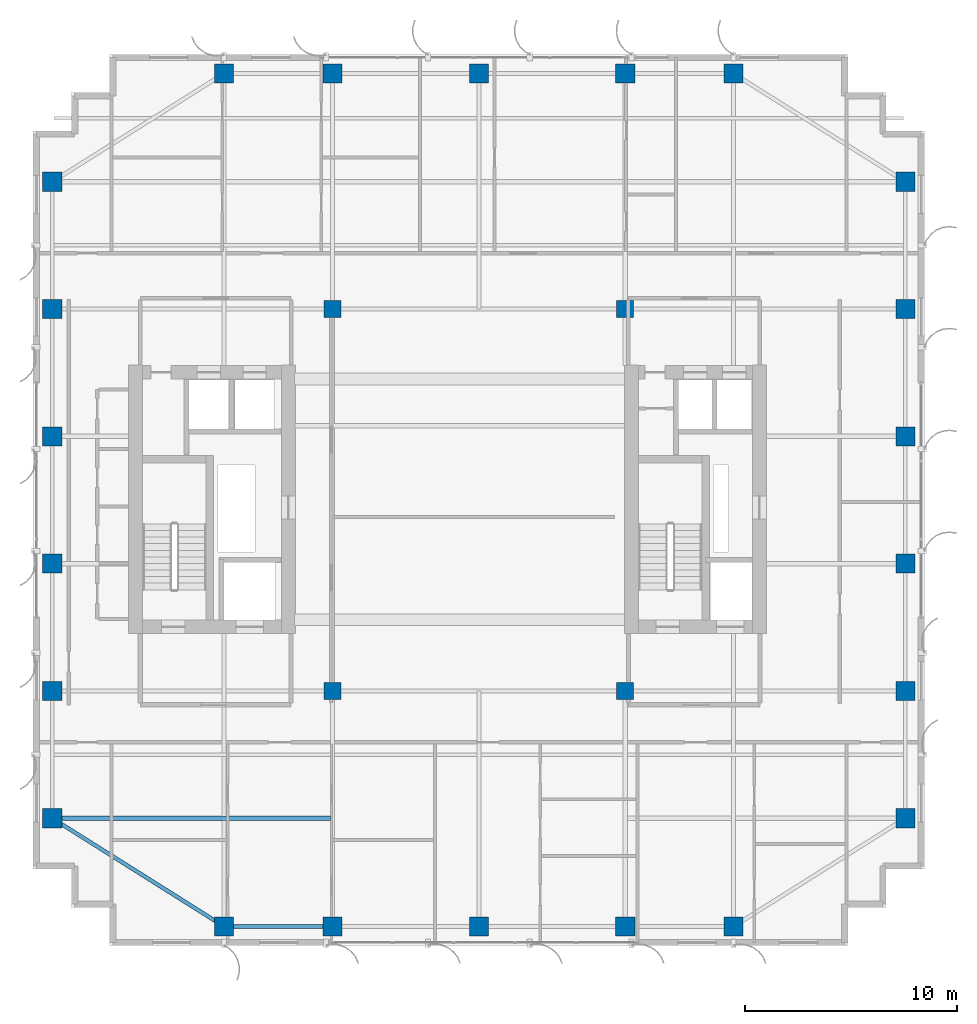
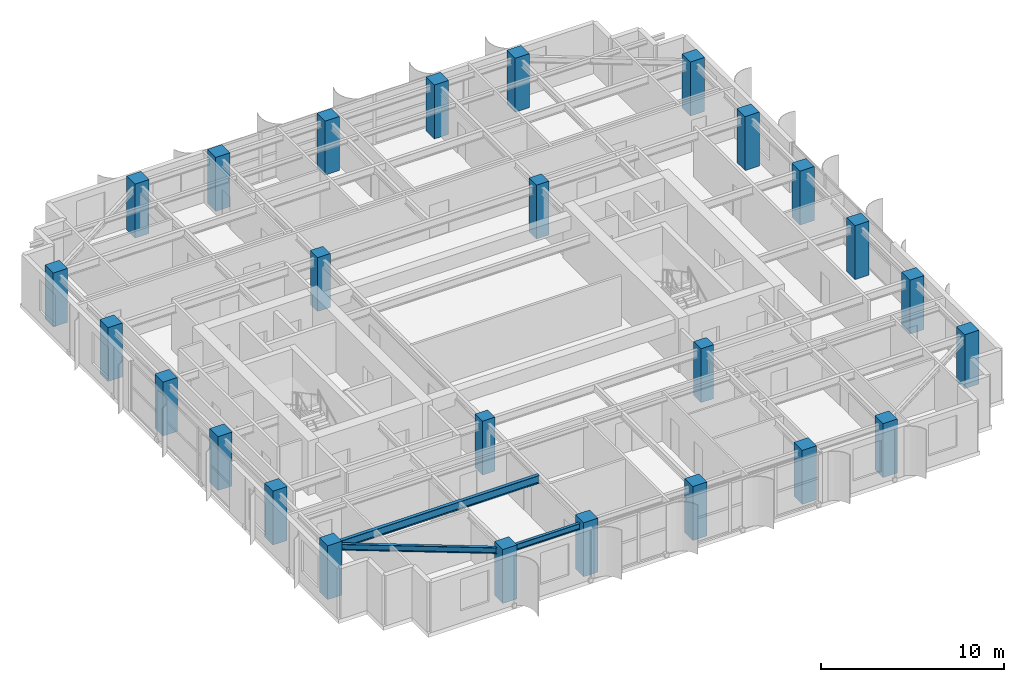
# One storey, part 1 of 25: 26 columns, 3 beams.
"""IFC4 building model written with IfcOpenShell, lengths in metres."""

from ifc_helpers import new_model, si_unit, direction, frame, origin, origin_2d, place, context, subcontext, project, spatial, rectangle, i_section, extrude, source, transform, mapped, material, material_profile, profile_set, type_object, element, save


model = new_model("IFC4")

# Units and contexts
model_context = context("Model", 3, precision=1e-05, world=origin(), true_north=direction((0.0, 1.0)))
body_context = subcontext(model_context, "Body", "Model", "MODEL_VIEW")
ifc_project = project(units=[si_unit("LENGTHUNIT", "METRE"), si_unit("AREAUNIT", "SQUARE_METRE"), si_unit("VOLUMEUNIT", "CUBIC_METRE"), si_unit("PLANEANGLEUNIT", "RADIAN"), si_unit("MASSUNIT", "GRAM", prefix="KILO")], contexts=[model_context])

# Site, building, storey
site_placement = place(None, origin())
site = spatial("IfcSite", under=ifc_project, at=site_placement, CompositionType="ELEMENT")
building_placement = place(site_placement, origin())
building = spatial("IfcBuilding", under=site, at=building_placement, Name="Khoralis Quay Care Tower", CompositionType="ELEMENT")
storey_placement = place(building_placement, frame((0.0, 0.0, 166.5)))
storey = spatial("IfcBuildingStorey", under=building, at=storey_placement, Name="L43", CompositionType="ELEMENT", Elevation=166.5)

# Columns
ifc_material_1 = material(Name="Concrete C65/80", Category="concrete")
ifc_material_profile_1 = material_profile(ifc_material_1, rectangle(XDim=0.89990234375, YDim=0.89990234375, at=origin_2d()), Name="Concrete C65/80")
ifc_profile_set_1 = profile_set([ifc_material_profile_1], Name="Concrete C65/80")
column_type_1 = type_object("IfcColumnType", Name="COL-C900", PredefinedType="COLUMN", material=ifc_profile_set_1)
shared_shape_1 = source(origin(), body_context, "Body", "SweptSolid", [
    extrude(rectangle(XDim=0.89990234375, YDim=0.89990234375, at=origin_2d()), origin(), (0.0, 0.0, 1.0), 3.60009765625),
])
for number, where, z_axis, x_axis, name in (
    (1, (12.0, 0.89990234375, 0.0), (0.0, 0.0, 1.0), (1.0, 0.0, 0.0), "COL-TWR-L43-01"),
    (2, (12.0, 41.10009765625, 0.0), (0.0, 0.0, 1.0), (1.0, 0.0, 0.0), "COL-TWR-L43-02"),
    (3, (17.10009765625, 0.89990234375, 0.0), (0.0, 0.0, 1.0), (1.0, 0.0, 0.0), "COL-TWR-L43-03"),
    (4, (17.10009765625, 41.10009765625, 0.0), (0.0, 0.0, 1.0), (1.0, 0.0, 0.0), "COL-TWR-L43-04"),
    (5, (24.0, 0.89990234375, 0.0), (0.0, 0.0, 1.0), (1.0, 0.0, 0.0), "COL-TWR-L43-05"),
    (6, (24.0, 41.10009765625, 0.0), (0.0, 0.0, 1.0), (1.0, 0.0, 0.0), "COL-TWR-L43-06"),
    (7, (30.89990234375, 0.89990234375, 0.0), (0.0, 0.0, 1.0), (1.0, 0.0, 0.0), "COL-TWR-L43-07"),
    (8, (30.89990234375, 41.10009765625, 0.0), (0.0, 0.0, 1.0), (1.0, 0.0, 0.0), "COL-TWR-L43-08"),
    (9, (36.0, 0.89990234375, 0.0), (0.0, 0.0, 1.0), (1.0, 0.0, 0.0), "COL-TWR-L43-09"),
    (10, (36.0, 41.10009765625, 0.0), (0.0, 0.0, 1.0), (1.0, 0.0, 0.0), "COL-TWR-L43-10"),
    (11, (3.89990234375, 6.0, 0.0), (0.0, 0.0, 1.0), (1.0, 0.0, 0.0), "COL-TWR-L43-11"),
    (12, (44.10009765625, 6.0, 0.0), (0.0, 0.0, 1.0), (1.0, 0.0, 0.0), "COL-TWR-L43-12"),
    (13, (3.89990234375, 12.0, 0.0), (0.0, 0.0, 1.0), (1.0, 0.0, 0.0), "COL-TWR-L43-13"),
    (14, (44.10009765625, 12.0, 0.0), (0.0, 0.0, 1.0), (1.0, 0.0, 0.0), "COL-TWR-L43-14"),
    (15, (3.89990234375, 18.0, 0.0), (0.0, 0.0, 1.0), (1.0, 0.0, 0.0), "COL-TWR-L43-15"),
    (16, (44.10009765625, 18.0, 0.0), (0.0, 0.0, 1.0), (1.0, 0.0, 0.0), "COL-TWR-L43-16"),
    (17, (3.89990234375, 24.0, 0.0), (0.0, 0.0, 1.0), (1.0, 0.0, 0.0), "COL-TWR-L43-17"),
    (18, (44.10009765625, 24.0, 0.0), (0.0, 0.0, 1.0), (1.0, 0.0, 0.0), "COL-TWR-L43-18"),
    (19, (3.89990234375, 30.0, 0.0), (0.0, 0.0, 1.0), (1.0, 0.0, 0.0), "COL-TWR-L43-19"),
    (20, (44.10009765625, 30.0, 0.0), (0.0, 0.0, 1.0), (1.0, 0.0, 0.0), "COL-TWR-L43-20"),
    (21, (3.89990234375, 36.0, 0.0), (0.0, 0.0, 1.0), (1.0, 0.0, 0.0), "COL-TWR-L43-21"),
    (22, (44.10009765625, 36.0, 0.0), (0.0, 0.0, 1.0), (1.0, 0.0, 0.0), "COL-TWR-L43-22"),
):
    element("IfcColumn", number, at=place(storey_placement, frame(where, z_axis=z_axis, x_axis=x_axis)), inside=storey, type_object=column_type_1, Name=name, PredefinedType="COLUMN", context=body_context, shape_type="MappedRepresentation", body=[
        mapped(shared_shape_1, transform((0.0, 0.0, 0.0), scale=1.0)),
    ])
ifc_material_2 = material(Name="Concrete C50/60", Category="concrete")
ifc_material_profile_2 = material_profile(ifc_material_2, rectangle(XDim=0.800048828125, YDim=0.800048828125, at=origin_2d()), Name="Concrete C50/60")
ifc_profile_set_2 = profile_set([ifc_material_profile_2], Name="Concrete C50/60")
column_type_2 = type_object("IfcColumnType", Name="COL-C800", PredefinedType="COLUMN", material=ifc_profile_set_2)
shared_shape_2 = source(origin(), body_context, "Body", "SweptSolid", [
    extrude(rectangle(XDim=0.800048828125, YDim=0.800048828125, at=origin_2d()), origin(), (0.0, 0.0, 1.0), 3.60009765625),
])
for number, where, z_axis, x_axis, name in (
    (23, (17.10009765625, 12.0, 0.0), (0.0, 0.0, 1.0), (1.0, 0.0, 0.0), "COL-TWR-L43-23"),
    (24, (17.10009765625, 30.0, 0.0), (0.0, 0.0, 1.0), (1.0, 0.0, 0.0), "COL-TWR-L43-24"),
    (25, (30.89990234375, 12.0, 0.0), (0.0, 0.0, 1.0), (1.0, 0.0, 0.0), "COL-TWR-L43-25"),
    (26, (30.89990234375, 30.0, 0.0), (0.0, 0.0, 1.0), (1.0, 0.0, 0.0), "COL-TWR-L43-26"),
):
    element("IfcColumn", number, at=place(storey_placement, frame(where, z_axis=z_axis, x_axis=x_axis)), inside=storey, type_object=column_type_2, Name=name, PredefinedType="COLUMN", context=body_context, shape_type="MappedRepresentation", body=[
        mapped(shared_shape_2, transform((0.0, 0.0, 0.0), scale=1.0)),
    ])

# Beams
ifc_material_3 = material(Name="Steel S355", Category="steel")
ifc_material_profile_3 = material_profile(ifc_material_3, i_section(OverallWidth=0.179931640625, OverallDepth=0.39990234375, WebThickness=0.008544921875, FlangeThickness=0.013427734375, FilletRadius=0.02099609375, at=origin_2d()), Name="Steel S355")
ifc_profile_set_3 = profile_set([ifc_material_profile_3], Name="Steel S355")
beam_type_1 = type_object("IfcBeamType", Name="BM-IPE400", PredefinedType="SPANDREL", material=ifc_profile_set_3)
shared_shape_3 = source(origin(), body_context, "Body", "SweptSolid", [
    extrude(i_section(OverallWidth=0.179931640625, OverallDepth=0.39990234375, WebThickness=0.008544921875, FlangeThickness=0.013427734375, FilletRadius=0.02099609375, at=origin_2d()), origin(), (0.0, 0.0, 1.0), 5.10009765625),
])
beam_1_placement = place(storey_placement, frame((12.0, 0.89990234375, 3.139892578125), z_axis=(1.0, 0.0, 0.0), x_axis=(0.0, 1.0, 0.0)))
element("IfcBeam", 27, at=beam_1_placement, inside=storey, type_object=beam_type_1, Name="BM-TSP-L43-01", PredefinedType="SPANDREL", context=body_context, shape_type="MappedRepresentation", body=[
    mapped(shared_shape_3, transform((0.0, 0.0, 0.0), scale=1.0)),
])
shared_shape_4 = source(origin(), body_context, "Body", "SweptSolid", [
    extrude(i_section(OverallWidth=0.179931640625, OverallDepth=0.39990234375, WebThickness=0.008544921875, FlangeThickness=0.013427734375, FilletRadius=0.02099609375, at=origin_2d()), origin(), (0.0, 0.0, 1.0), 9.572021484375),
])
beam_2_placement = place(storey_placement, frame((12.0, 0.89990234375, 3.139892578125), z_axis=(-0.846231136359, 0.532815975602, 0.0), x_axis=(-0.532815975602, -0.846231136359, 0.0)))
element("IfcBeam", 28, at=beam_2_placement, inside=storey, type_object=beam_type_1, Name="BM-TCR-L43-19", PredefinedType="SPANDREL", context=body_context, shape_type="MappedRepresentation", body=[
    mapped(shared_shape_4, transform((0.0, 0.0, 0.0), scale=1.0)),
])
ifc_material_profile_4 = material_profile(ifc_material_3, i_section(OverallWidth=0.208984375, OverallDepth=0.532958984375, WebThickness=0.01025390625, FlangeThickness=0.015625, FilletRadius=0.01611328125, at=origin_2d()), Name="Steel S355")
ifc_profile_set_4 = profile_set([ifc_material_profile_4], Name="Steel S355")
beam_type_2 = type_object("IfcBeamType", Name="BM-W530X92", PredefinedType="BEAM", material=ifc_profile_set_4)
shared_shape_5 = source(origin(), body_context, "Body", "SweptSolid", [
    extrude(i_section(OverallWidth=0.208984375, OverallDepth=0.532958984375, WebThickness=0.01025390625, FlangeThickness=0.015625, FilletRadius=0.01611328125, at=origin_2d()), origin(), (0.0, 0.0, 1.0), 13.1162109375),
])
beam_3_placement = place(storey_placement, frame((3.89990234375, 6.0, 3.073486328125), z_axis=(1.0, 0.0, 0.0), x_axis=(0.0, 1.0, 0.0)))
element("IfcBeam", 29, at=beam_3_placement, inside=storey, type_object=beam_type_2, Name="BM-TGXW-L43-60", PredefinedType="BEAM", context=body_context, shape_type="MappedRepresentation", body=[
    mapped(shared_shape_5, transform((0.0, 0.0, 0.0), scale=1.0)),
])

save(model, "model.ifc")
